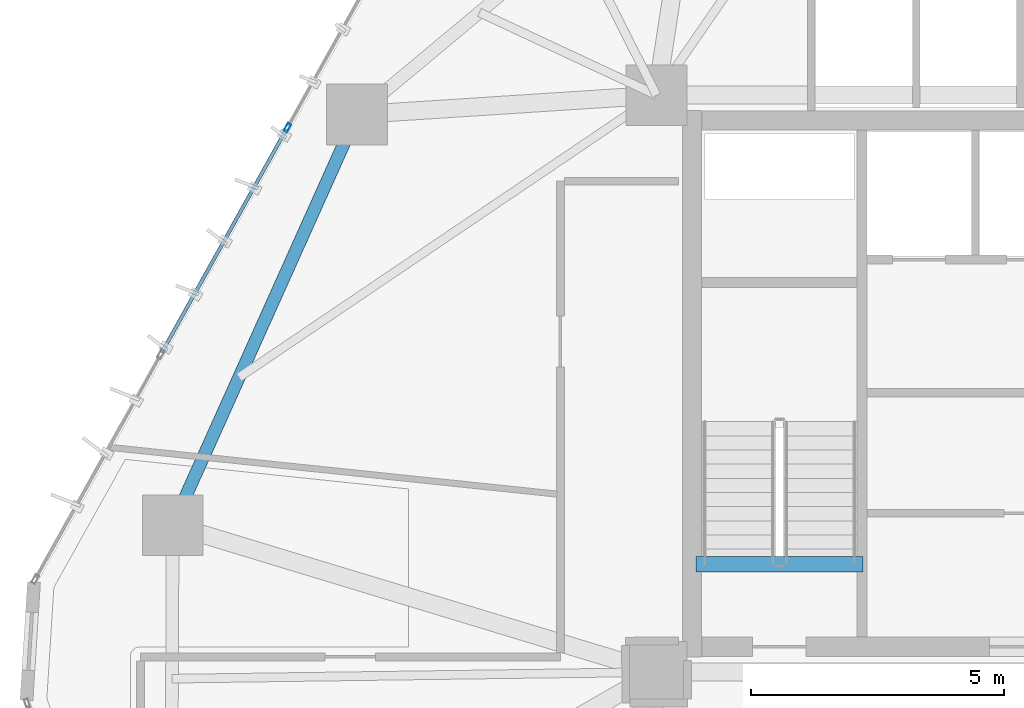
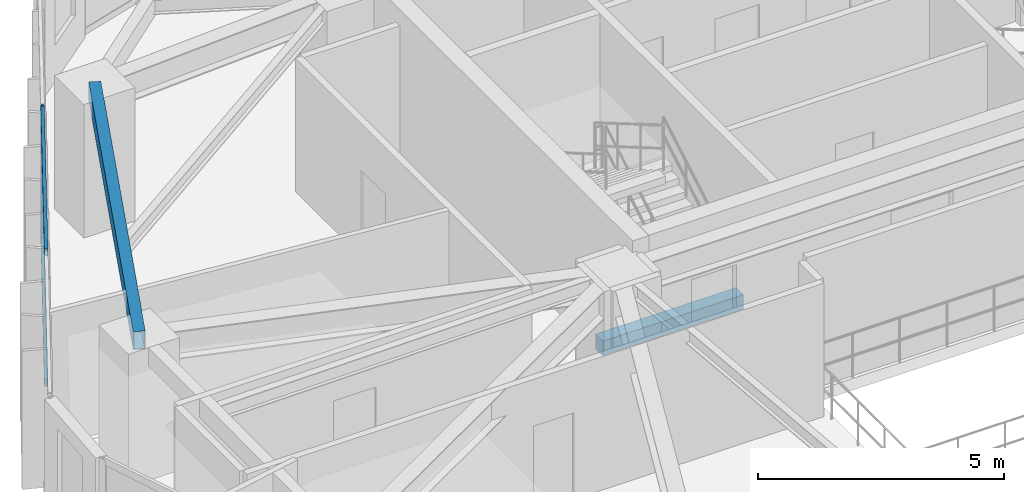
# One storey, part 8 of 21: 3 members, 2 beams, 1 element without a shape of its own.
"""IFC4 building model written with IfcOpenShell, lengths in metres."""

from ifc_helpers import new_model, si_unit, direction, frame, origin, origin_2d, place, context, subcontext, project, spatial, rectangle, hollow_rectangle, extrude, source, transform, mapped, material, layer, layer_set, material_profile, profile_set, type_object, type_shapes, element, aggregate, save


model = new_model("IFC4")

# Units and contexts
model_context = context("Model", 3, precision=1e-05, world=origin(), true_north=direction((0.0, 1.0)))
body_context = subcontext(model_context, "Body", "Model", "MODEL_VIEW")
ifc_project = project(units=[si_unit("LENGTHUNIT", "METRE"), si_unit("AREAUNIT", "SQUARE_METRE"), si_unit("VOLUMEUNIT", "CUBIC_METRE"), si_unit("PLANEANGLEUNIT", "RADIAN"), si_unit("MASSUNIT", "GRAM", prefix="KILO")], contexts=[model_context])

# Site, building, storey
site_placement = place(None, origin())
site = spatial("IfcSite", under=ifc_project, at=site_placement, CompositionType="ELEMENT")
building_placement = place(site_placement, origin())
building = spatial("IfcBuilding", under=site, at=building_placement, Name="Talar Marvaseh", CompositionType="ELEMENT")
storey_placement = place(building_placement, frame((0.0, 0.0, 139.800048828125)))
storey = spatial("IfcBuildingStorey", under=building, at=storey_placement, Name="L36", CompositionType="ELEMENT", Elevation=139.800048828125)

# Beams
ifc_material_1 = material(Name="Concrete C40/50", Category="concrete")
ifc_material_profile_1 = material_profile(ifc_material_1, rectangle(XDim=0.300048828125, YDim=0.360107421875, at=origin_2d()), Name="RC300x360")
ifc_profile_set_1 = profile_set([ifc_material_profile_1], Name="Concrete C40/50")
beam_type_1 = type_object("IfcBeamType", Name="Concrete Stair Landing Trimmer Beam RC300x360", PredefinedType="SPANDREL", material=ifc_profile_set_1)
beam_1_placement = place(storey_placement, frame((22.780029296875, 27.6298828125, -0.179931640625), z_axis=(-1.0, 0.0, 0.0), x_axis=(0.0, -1.0, 0.0)))
element("IfcBeam", 1, at=beam_1_placement, inside=storey, type_object=beam_type_1, Name="L36 ST-1 Stair Nosing Trimmer Beam", PredefinedType="SPANDREL", context=body_context, shape_type="SweptSolid", body=[
    extrude(rectangle(XDim=0.300048828125, YDim=0.360107421875, at=origin_2d()), origin(), (0.0, 0.0, 1.0), 3.300048828125),
])
ifc_material_2 = material(Name="Steel S355", Category="steel")
ifc_material_profile_2 = material_profile(ifc_material_2, hollow_rectangle(XDim=0.25, YDim=0.449951171875, WallThickness=0.01611328125, at=origin_2d()), Name="RHS450x250x16")
ifc_profile_set_2 = profile_set([ifc_material_profile_2], Name="Steel S355")
beam_type_2 = type_object("IfcBeamType", Name="Zone 2 Perimeter Spandrel Beam RHS450x250x16", PredefinedType="SPANDREL", material=ifc_profile_set_2)
beam_2_placement = place(storey_placement, frame((9.137939453125, 28.402099609375, 3.0849609375), z_axis=(0.409461733275, 0.912327292688, 0.0), x_axis=(-0.912327292688, 0.409461733275, 0.0)))
element("IfcBeam", 2, at=beam_2_placement, inside=storey, type_object=beam_type_2, Name="L36 Zone 2 Perimeter Spandrel Beam RHS450x250x16", PredefinedType="SPANDREL", context=body_context, shape_type="SweptSolid", body=[
    extrude(hollow_rectangle(XDim=0.25, YDim=0.449951171875, WallThickness=0.01611328125, at=origin_2d()), origin(), (0.0, 0.0, 1.0), 8.894775390625),
])

# Curtain wall, members
ifc_material_3 = material(Name="Architectural Aluminium", Category="aluminium")
ifc_layer = layer(ifc_material_3, 0.199951171875)
ifc_layer_set = layer_set([ifc_layer], Name="Architectural Aluminium")
curtain_wall_type = type_object("IfcCurtainWallType", Name="Unitised Acoustic Library Curtain Wall Z2", PredefinedType="NOTDEFINED", material=ifc_layer_set)
curtain_wall_placement = place(storey_placement, origin())
curtain_wall = element("IfcCurtainWall", 3, at=curtain_wall_placement, inside=storey, type_object=curtain_wall_type, Name="L36 Unitised Acoustic Library Curtain Wall Z2", PredefinedType="NOTDEFINED")
ifc_material_profile_3 = material_profile(ifc_material_3, hollow_rectangle(XDim=0.074951171875, YDim=0.179931640625, WallThickness=0.0048828125, at=origin_2d()), Name="RHS180x75x5")
ifc_profile_set_3 = profile_set([ifc_material_profile_3], Name="Architectural Aluminium")
member_type_1 = type_object("IfcMemberType", Name="Unitised Curtain Wall Standard Mullion RHS180x75x5", PredefinedType="MULLION", material=ifc_profile_set_3)
shared_shape_1 = source(origin(), body_context, "Body", "SweptSolid", [
    extrude(hollow_rectangle(XDim=0.074951171875, YDim=0.179931640625, WallThickness=0.0048828125, at=origin_2d()), origin(), (0.0, 0.0, 1.0), 3.31005859375),
])
type_shapes(member_type_1, [shared_shape_1])
member_1_placement = place(storey_placement, frame((11.406005859375, 36.2587890625, 0.0), z_axis=(0.0, 0.0, 1.0), x_axis=(-0.873076263983, 0.48758367207, 0.0)))
member_1 = element("IfcMember", 4, at=member_1_placement, type_object=member_type_1, Name="CW-Z2 mullion 3", PredefinedType="MULLION", context=body_context, shape_type="MappedRepresentation", body=[
    mapped(shared_shape_1, transform((0.0, 0.0, 0.0), x_axis=(1.0, 0.0, 0.0), y_axis=(0.0, 1.0, 0.0), z_axis=(0.0, 0.0, 1.0), scale=1.0)),
])
ifc_material_profile_4 = material_profile(ifc_material_3, hollow_rectangle(XDim=0.074951171875, YDim=0.179931640625, WallThickness=0.0048828125, at=origin_2d()), Name="RHS180x75x5")
ifc_profile_set_4 = profile_set([ifc_material_profile_4], Name="Architectural Aluminium")
member_type_2 = type_object("IfcMemberType", Name="Unitised Curtain Wall Transom RHS180x75x5", PredefinedType="USERDEFINED", material=ifc_profile_set_4)
shared_shape_2 = source(origin(), body_context, "Body", "SweptSolid", [
    extrude(hollow_rectangle(XDim=0.074951171875, YDim=0.179931640625, WallThickness=0.0048828125, at=origin_2d()), origin(), (0.0, 0.0, 1.0), 5.05517578125),
])
type_shapes(member_type_2, [shared_shape_2])
member_2_placement = place(storey_placement, frame((8.923095703125, 31.8125, 0.037353515625), z_axis=(0.487548558305, 0.873095872911, 0.0), x_axis=(-0.873095872911, 0.487548558305, 0.0)))
member_2 = element("IfcMember", 5, at=member_2_placement, type_object=member_type_2, Name="CW-Z2 transom 2.1", ObjectType="TRANSOM", PredefinedType="USERDEFINED", context=body_context, shape_type="MappedRepresentation", body=[
    mapped(shared_shape_2, transform((0.0, 0.0, 0.0), x_axis=(1.0, 0.0, 0.0), y_axis=(0.0, 1.0, 0.0), z_axis=(0.0, 0.0, 1.0), scale=1.0)),
])
member_3_placement = place(storey_placement, frame((8.923095703125, 31.8125, 3.2724609375), z_axis=(0.487548558305, 0.873095872911, 0.0), x_axis=(-0.873095872911, 0.487548558305, 0.0)))
member_3 = element("IfcMember", 6, at=member_3_placement, type_object=member_type_2, Name="CW-Z2 transom 2.2", ObjectType="TRANSOM", PredefinedType="USERDEFINED", context=body_context, shape_type="MappedRepresentation", body=[
    mapped(shared_shape_2, transform((0.0, 0.0, 0.0), x_axis=(1.0, 0.0, 0.0), y_axis=(0.0, 1.0, 0.0), z_axis=(0.0, 0.0, 1.0), scale=1.0)),
])
aggregate(curtain_wall, [member_1, member_2, member_3])

save(model, "model.ifc")
